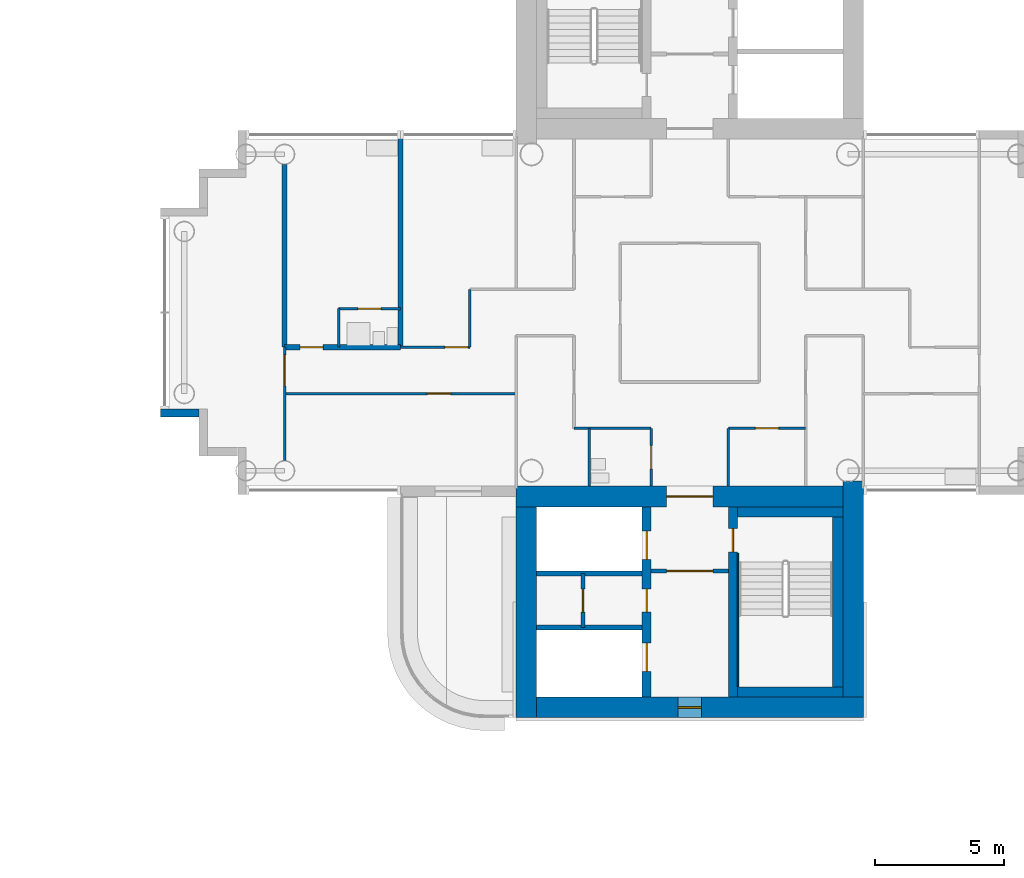
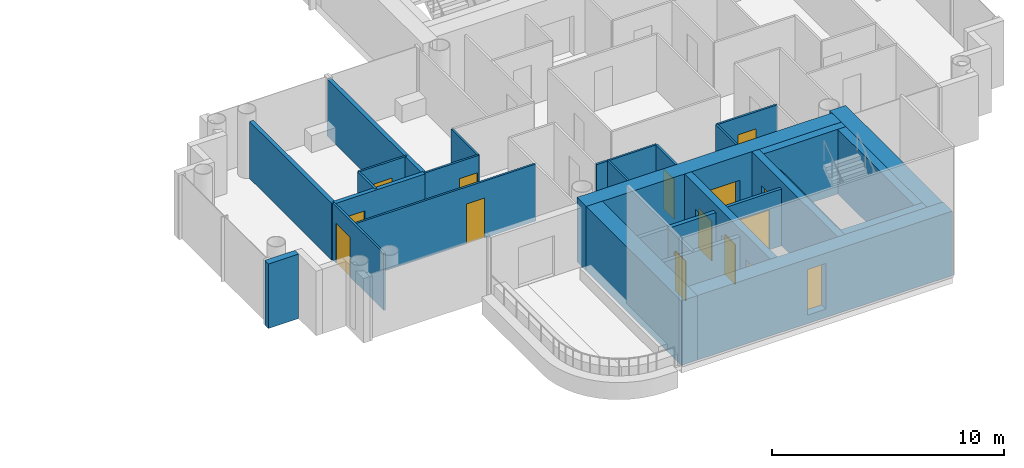
# One storey, part 10 of 19: 29 walls, 14 doors, 1 window, 15 openings.
"""IFC4 building model written with IfcOpenShell, lengths in metres."""

import ifcopenshell
import ifcopenshell.guid

model = None  # the IFC model being written
_history = None  # IfcOwnerHistory: only IFC2X3 demands one
_inside = {}  # id of a spatial element -> (the spatial element, [elements in it])
_under = {}  # id of a project, library or spatial element -> (it, [spatial elements below it])
_declared = {}  # id of a project -> (the project, [libraries it declares])
_typed = {}  # id of a type object -> (the type object, [elements of that type])
_made_of = {}  # id of a material, layer set ... -> (it, [elements and type objects made of it])


def new_model(schema):
    """Start an empty IFC model of exactly this schema.

    Asked for "IFC4X3", IfcOpenShell would pick the latest addendum, in which some entities
    have other attributes; the version numbers below select the first issue.
    IFC2X3 requires an IfcOwnerHistory on every rooted entity: one is made here for all.
    """
    global model, _history
    if schema == "IFC4X3":
        model = ifcopenshell.file(schema_version=(4, 3, 0, 0))
    else:
        model = ifcopenshell.file(schema=schema)
    _inside.clear()
    _under.clear()
    _declared.clear()
    _typed.clear()
    _made_of.clear()
    _history = None
    if model.schema == "IFC2X3":
        org = make("IfcOrganization", Name="unknown")
        user = make(
            "IfcPersonAndOrganization",
            ThePerson=make("IfcPerson", FamilyName="unknown"),
            TheOrganization=org,
        )
        app = make(
            "IfcApplication",
            ApplicationDeveloper=org,
            Version="unknown",
            ApplicationFullName="unknown",
            ApplicationIdentifier="unknown",
        )
        _history = make(
            "IfcOwnerHistory",
            OwningUser=user,
            OwningApplication=app,
            ChangeAction="ADDED",
            CreationDate=0,
        )
    return model


def make(cls, **values):
    """One entity of the class cls with the attributes given. An attribute that is None is left unset."""
    return model.create_entity(
        cls, **{name: value for name, value in values.items() if value is not None}
    )


def rooted(cls, **values):
    """An entity with a GlobalId (a new one), such as an element, a storey or a relation."""
    return make(cls, GlobalId=ifcopenshell.guid.new(), OwnerHistory=_history, **values)


def si_unit(unit_type, name, prefix=None):
    """IfcSIUnit, for example si_unit("LENGTHUNIT", "METRE", prefix="MILLI")."""
    return make("IfcSIUnit", UnitType=unit_type, Prefix=prefix, Name=name)


def assignment(units):
    """IfcUnitAssignment: the units of a project."""
    return None if units is None else make("IfcUnitAssignment", Units=units)


def point(xyz):
    """IfcCartesianPoint."""
    return None if xyz is None else make("IfcCartesianPoint", Coordinates=xyz)


def direction(xyz):
    """IfcDirection."""
    return None if xyz is None else make("IfcDirection", DirectionRatios=xyz)


def frame(location, z_axis=None, x_axis=None):
    """IfcAxis2Placement3D, a coordinate frame: its origin and axes. An axis left out is left unset."""
    return make(
        "IfcAxis2Placement3D",
        Location=point(location),
        Axis=direction(z_axis),
        RefDirection=direction(x_axis),
    )


def frame_2d(location, x_axis=None):
    """IfcAxis2Placement2D, a coordinate frame in the plane: its origin and x axis."""
    return make(
        "IfcAxis2Placement2D", Location=point(location), RefDirection=direction(x_axis)
    )


def origin():
    """The frame at (0, 0, 0) with its axes left unset."""
    return frame((0.0, 0.0, 0.0))


def place(relative_to, where):
    """IfcLocalPlacement: puts the frame where relative to a parent placement (None: the world)."""
    return make(
        "IfcLocalPlacement", PlacementRelTo=relative_to, RelativePlacement=where
    )


def context(
    kind, dimensions, precision=None, world=None, true_north=None, identifier=None
):
    """IfcGeometricRepresentationContext, for example the 3D "Model" context."""
    return make(
        "IfcGeometricRepresentationContext",
        ContextIdentifier=identifier,
        ContextType=kind,
        CoordinateSpaceDimension=dimensions,
        Precision=precision,
        WorldCoordinateSystem=world,
        TrueNorth=true_north,
    )


def subcontext(parent, identifier, kind, view, scale=None):
    """IfcGeometricRepresentationSubContext, for example "Body" below "Model"."""
    return make(
        "IfcGeometricRepresentationSubContext",
        ContextIdentifier=identifier,
        ContextType=kind,
        ParentContext=parent,
        TargetScale=scale,
        TargetView=view,
    )


def project(units=None, contexts=None):
    """IfcProject with its units and contexts."""
    return rooted(
        "IfcProject",
        Name="project",
        RepresentationContexts=contexts,
        UnitsInContext=assignment(units),
    )


def spatial(cls, under=None, at=None, **own):
    """A site, building, storey or space (cls), placed at a placement, below another one or the project."""
    s = rooted(cls, ObjectPlacement=at, **own)
    if under is not None:
        _under.setdefault(under.id(), (under, []))[1].append(s)
    return s


def profile(cls, at=None, kind="AREA", **sizes):
    """A parametric profile (cls). Its sizes go by their IFC names, for example OverallWidth=200.0."""
    return make(cls, ProfileType=kind, Position=at, **sizes)


def rectangle(**sizes):
    """IfcRectangleProfileDef."""
    return profile("IfcRectangleProfileDef", **sizes)


def extrude(swept, where, along, depth):
    """IfcExtrudedAreaSolid: the profile swept, set in the frame where, extruded along a direction by depth."""
    return make(
        "IfcExtrudedAreaSolid",
        SweptArea=swept,
        Position=where,
        ExtrudedDirection=direction(along),
        Depth=depth,
    )


def shape(context_of_items, identifier, shape_type, items):
    """IfcShapeRepresentation: the items that make up one representation, for example the "Body"."""
    return make(
        "IfcShapeRepresentation",
        ContextOfItems=context_of_items,
        RepresentationIdentifier=identifier,
        RepresentationType=shape_type,
        Items=items,
    )


def material(Name=None, Category=None):
    """IfcMaterial."""
    return make("IfcMaterial", Name=Name, Category=Category)


def layer(
    of_material, thickness, ventilated=None, Name=None, Category=None, Priority=None
):
    """IfcMaterialLayer: one layer of a wall or slab, of a material (None: an air gap)."""
    return make(
        "IfcMaterialLayer",
        Material=of_material,
        LayerThickness=thickness,
        IsVentilated=ventilated,
        Name=Name,
        Category=Category,
        Priority=Priority,
    )


def layer_set(layers, Name=None):
    """IfcMaterialLayerSet."""
    return make("IfcMaterialLayerSet", MaterialLayers=layers, LayerSetName=Name)


def made_of(thing, what):
    """Note that an element or type object is made of a material, layer set ...; save() writes the relation."""
    if what is not None:
        _made_of.setdefault(what.id(), (what, []))[1].append(thing)
    return thing


def type_object(cls, material=None, **own):
    """A type object (cls), such as IfcWallType, which elements share."""
    return made_of(rooted(cls, **own), material)


def element(
    cls,
    number,
    at=None,
    inside=None,
    cuts=None,
    type_object=None,
    material=None,
    context=None,
    identifier="Body",
    shape_type=None,
    held_by="IfcProductDefinitionShape",
    body=None,
    shapes=None,
    **own,
):
    """One element of the class cls, such as IfcWall. Its Tag is "e" and its number.

    at: its placement. inside: the storey or other place that contains it. cuts: it is an
    opening in that element (IfcRelVoidsElement). A single representation is given by context,
    identifier, shape_type and body (its items); several are given by shapes. held_by: the class
    of the entity that holds the representations. save() writes the other relations.
    """
    e = rooted(cls, Tag="e%d" % number, ObjectPlacement=at, **own)
    if body is not None:
        shapes = [shape(context, identifier, shape_type, body)]
    if shapes is not None:
        e.Representation = make(held_by, Representations=shapes)
    if inside is not None:
        _inside.setdefault(inside.id(), (inside, []))[1].append(e)
    if cuts is not None:
        rooted(
            "IfcRelVoidsElement", RelatingBuildingElement=cuts, RelatedOpeningElement=e
        )
    if type_object is not None:
        _typed.setdefault(type_object.id(), (type_object, []))[1].append(e)
    return made_of(e, material)


def fill(opening, filler):
    """IfcRelFillsElement: the door or window that sits in an opening."""
    return rooted(
        "IfcRelFillsElement",
        RelatingOpeningElement=opening,
        RelatedBuildingElement=filler,
    )


def aggregate(whole, parts):
    """IfcRelAggregates: a whole, such as a stair, and the parts it consists of."""
    return rooted("IfcRelAggregates", RelatingObject=whole, RelatedObjects=parts)


def save(model, path):
    """Write the relations noted so far, then the file.

    IfcRelAggregates (storeys below a building ...), IfcRelContainedInSpatialStructure (elements
    in a storey), IfcRelDefinesByType, IfcRelAssociatesMaterial and IfcRelDeclares: one each for
    every whole, place, type object, material and project.
    """
    for whole, parts in _under.values():
        aggregate(whole, parts)
    for where, things in _inside.values():
        rooted(
            "IfcRelContainedInSpatialStructure",
            RelatedElements=things,
            RelatingStructure=where,
        )
    for kind, things in _typed.values():
        rooted("IfcRelDefinesByType", RelatedObjects=things, RelatingType=kind)
    for what, things in _made_of.values():
        rooted("IfcRelAssociatesMaterial", RelatedObjects=things, RelatingMaterial=what)
    for by, libraries in _declared.values():
        rooted("IfcRelDeclares", RelatingContext=by, RelatedDefinitions=libraries)
    model.write(path)


model = new_model("IFC4")

# Units and contexts
model_context = context("Model", 3, precision=1e-05, world=origin(), true_north=direction((0.0, 1.0)))
body_context = subcontext(model_context, "Body", "Model", "MODEL_VIEW")
ifc_project = project(units=[si_unit("LENGTHUNIT", "METRE"), si_unit("AREAUNIT", "SQUARE_METRE"), si_unit("VOLUMEUNIT", "CUBIC_METRE"), si_unit("PLANEANGLEUNIT", "RADIAN"), si_unit("MASSUNIT", "GRAM", prefix="KILO")], contexts=[model_context])

# Site, building, storey
site_placement = place(None, origin())
site = spatial("IfcSite", under=ifc_project, at=site_placement, CompositionType="ELEMENT")
building_placement = place(site_placement, origin())
building = spatial("IfcBuilding", under=site, at=building_placement, Name="Ipe Terrace Towers", CompositionType="ELEMENT")
storey_placement = place(building_placement, frame((0.0, 0.0, 174.5)))
storey = spatial("IfcBuildingStorey", under=building, at=storey_placement, Name="L48", CompositionType="ELEMENT", Elevation=174.5)

# Wall
ifc_material_1 = material(Name="Concrete C40/50 with buff precast cladding", Category="concrete")
ifc_layer_1 = layer(ifc_material_1, 0.320068359375)
ifc_layer_set_1 = layer_set([ifc_layer_1], Name="BUFF CLADDING WALL 320")
wall_type_1 = type_object("IfcWallType", Name="BUFF CLADDING WALL 320", PredefinedType="STANDARD", material=ifc_layer_set_1)
wall_1_placement = place(storey_placement, frame((15.429931640625, -3.909912109375, -0.300048828125), z_axis=(0.0, 0.0, 1.0), x_axis=(1.0, 0.0, 0.0)))
element("IfcWall", 1, at=wall_1_placement, inside=storey, type_object=wall_type_1, Name="T2-W-L48-35a wall", PredefinedType="STANDARD", context=body_context, shape_type="SweptSolid", body=[
    extrude(rectangle(XDim=1.5, YDim=0.320068359375, at=frame_2d((0.75, 0.0))), origin(), (0.0, 0.0, 1.0), 3.400146484375),
])

# Wall, opening, door
ifc_material_2 = material(Name="Gypsum board partition", Category="plasterboard")
ifc_layer_2 = layer(ifc_material_2, 0.10009765625)
ifc_layer_set_2 = layer_set([ifc_layer_2], Name="Gypsum board partition 100 mm")
wall_type_2 = type_object("IfcWallType", Name="Gypsum board partition 100 mm", PredefinedType="PARTITIONING", material=ifc_layer_set_2)
wall_2_placement = place(storey_placement, frame((40.5, -4.5, 0.0), z_axis=(0.0, 0.0, 1.0), x_axis=(-1.0, 0.0, 0.0)))
wall_2 = element("IfcWall", 2, at=wall_2_placement, inside=storey, type_object=wall_type_2, Name="Gypsum board partition T2 L48 W01", PredefinedType="PARTITIONING", context=body_context, shape_type="SweptSolid", body=[
    extrude(rectangle(XDim=3.0, YDim=0.10009765625, at=frame_2d((1.5, 0.0))), origin(), (0.0, 0.0, 1.0), 3.0),
])
opening_1_placement = place(wall_2_placement, frame((1.050048828125, 0.0, 0.0)))
opening_1 = element("IfcOpeningElement", 3, at=opening_1_placement, cuts=wall_2, Name="Opening T2-Z3D-08", PredefinedType="OPENING", context=body_context, shape_type="SweptSolid", body=[
    extrude(rectangle(XDim=0.89990234375, YDim=2.10009765625, at=frame_2d((0.449951171875, 1.050048828125))), frame((0.0, 0.06005859375, 0.0), z_axis=(0.0, -1.0, 0.0), x_axis=(1.0, 0.0, 0.0)), (0.0, 0.0, 1.0), 0.1201171875),
])
ifc_material_3 = material(Name="Timber door leaf", Category="wood")
door_type_1 = type_object("IfcDoorType", Name="Lounge door 900 x 2100", OperationType="NOTDEFINED", PredefinedType="DOOR", material=ifc_material_3)
door_1_placement = place(opening_1_placement, origin())
door_1 = element("IfcDoor", 4, at=door_1_placement, inside=storey, type_object=door_type_1, Name="Lounge door T2-Z3D-08", OperationType="SINGLE_SWING_LEFT", OverallHeight=2.10009765625, OverallWidth=0.89990234375, PredefinedType="DOOR", context=body_context, shape_type="SweptSolid", body=[
    extrude(rectangle(XDim=0.89990234375, YDim=2.10009765625, at=frame_2d((0.449951171875, 1.050048828125))), frame((0.0, 0.02490234375, 0.0), z_axis=(0.0, -1.0, 0.0), x_axis=(1.0, 0.0, 0.0)), (0.0, 0.0, 1.0), 0.050048828125),
])
fill(opening_1, door_1)

# Wall
wall_3_placement = place(storey_placement, frame((34.5, -4.5, 0.0), z_axis=(0.0, 0.0, 1.0), x_axis=(-1.0, 0.0, 0.0)))
element("IfcWall", 5, at=wall_3_placement, inside=storey, type_object=wall_type_2, Name="Gypsum board partition T2 L48 W02", PredefinedType="PARTITIONING", context=body_context, shape_type="SweptSolid", body=[
    extrude(rectangle(XDim=3.0, YDim=0.10009765625, at=frame_2d((1.5, 0.0))), origin(), (0.0, 0.0, 1.0), 3.0),
])

# Wall, opening, door
wall_4_placement = place(storey_placement, frame((29.25, -3.14990234375, 0.0), z_axis=(0.0, 0.0, 1.0), x_axis=(-1.0, 0.0, 0.0)))
wall_4 = element("IfcWall", 6, at=wall_4_placement, inside=storey, type_object=wall_type_2, Name="Gypsum board partition T2 L48 W04", PredefinedType="PARTITIONING", context=body_context, shape_type="SweptSolid", body=[
    extrude(rectangle(XDim=9.0, YDim=0.10009765625, at=frame_2d((4.5, 0.0))), origin(), (0.0, 0.0, 1.0), 3.0),
])
opening_2_placement = place(wall_4_placement, frame((2.550048828125, 0.0, 0.0)))
opening_2 = element("IfcOpeningElement", 7, at=opening_2_placement, cuts=wall_4, Name="Opening T2-Z3D-11", PredefinedType="OPENING", context=body_context, shape_type="SweptSolid", body=[
    extrude(rectangle(XDim=0.89990234375, YDim=2.10009765625, at=frame_2d((0.449951171875, 1.050048828125))), frame((0.0, 0.06005859375, 0.0), z_axis=(0.0, -1.0, 0.0), x_axis=(1.0, 0.0, 0.0)), (0.0, 0.0, 1.0), 0.1201171875),
])
door_2_placement = place(opening_2_placement, origin())
door_2 = element("IfcDoor", 8, at=door_2_placement, inside=storey, type_object=door_type_1, Name="Lounge door T2-Z3D-11", OperationType="SINGLE_SWING_RIGHT", OverallHeight=2.10009765625, OverallWidth=0.89990234375, PredefinedType="DOOR", context=body_context, shape_type="SweptSolid", body=[
    extrude(rectangle(XDim=0.89990234375, YDim=2.10009765625, at=frame_2d((0.449951171875, 1.050048828125))), frame((0.0, 0.02490234375, 0.0), z_axis=(0.0, -1.0, 0.0), x_axis=(1.0, 0.0, 0.0)), (0.0, 0.0, 1.0), 0.050048828125),
])
fill(opening_2, door_2)

wall_5_placement = place(storey_placement, frame((27.449951171875, -1.35009765625, 0.0), z_axis=(0.0, 0.0, 1.0), x_axis=(-1.0, 0.0, 0.0)))
wall_5 = element("IfcWall", 9, at=wall_5_placement, inside=storey, type_object=wall_type_2, Name="Gypsum board partition T2 L48 W07", PredefinedType="PARTITIONING", context=body_context, shape_type="SweptSolid", body=[
    extrude(rectangle(XDim=2.699951171875, YDim=0.10009765625, at=frame_2d((1.35009765625, 0.0))), origin(), (0.0, 0.0, 1.0), 3.0),
])
opening_3_placement = place(wall_5_placement, frame((0.070068359375, 0.0, 0.0)))
opening_3 = element("IfcOpeningElement", 10, at=opening_3_placement, cuts=wall_5, Name="Opening T2-Z3D-12", PredefinedType="OPENING", context=body_context, shape_type="SweptSolid", body=[
    extrude(rectangle(XDim=0.89990234375, YDim=2.10009765625, at=frame_2d((0.449951171875, 1.050048828125))), frame((0.0, 0.06005859375, 0.0), z_axis=(0.0, -1.0, 0.0), x_axis=(1.0, 0.0, 0.0)), (0.0, 0.0, 1.0), 0.1201171875),
])
door_3_placement = place(opening_3_placement, origin())
door_3 = element("IfcDoor", 11, at=door_3_placement, inside=storey, type_object=door_type_1, Name="Lounge door T2-Z3D-12", OperationType="SINGLE_SWING_LEFT", OverallHeight=2.10009765625, OverallWidth=0.89990234375, PredefinedType="DOOR", context=body_context, shape_type="SweptSolid", body=[
    extrude(rectangle(XDim=0.89990234375, YDim=2.10009765625, at=frame_2d((0.449951171875, 1.050048828125))), frame((0.0, 0.02490234375, 0.0), z_axis=(0.0, -1.0, 0.0), x_axis=(1.0, 0.0, 0.0)), (0.0, 0.0, 1.0), 0.050048828125),
])
fill(opening_3, door_3)

wall_6_placement = place(storey_placement, frame((24.75, 0.14990234375, 0.0), z_axis=(0.0, 0.0, 1.0), x_axis=(-1.0, 0.0, 0.0)))
wall_6 = element("IfcWall", 12, at=wall_6_placement, inside=storey, type_object=wall_type_2, Name="Gypsum board partition T2 L48 W11", PredefinedType="PARTITIONING", context=body_context, shape_type="SweptSolid", body=[
    extrude(rectangle(XDim=2.39990234375, YDim=0.10009765625, at=frame_2d((1.199951171875, 0.0))), origin(), (0.0, 0.0, 1.0), 3.0),
])
opening_4_placement = place(wall_6_placement, frame((0.75, 0.0, 0.0)))
opening_4 = element("IfcOpeningElement", 13, at=opening_4_placement, cuts=wall_6, Name="Opening T2-Z3D-14", PredefinedType="OPENING", context=body_context, shape_type="SweptSolid", body=[
    extrude(rectangle(XDim=0.89990234375, YDim=2.10009765625, at=frame_2d((0.449951171875, 1.050048828125))), frame((0.0, 0.06005859375, 0.0), z_axis=(0.0, -1.0, 0.0), x_axis=(1.0, 0.0, 0.0)), (0.0, 0.0, 1.0), 0.1201171875),
])
ifc_material_4 = material(Name="Timber door leaf", Category="wood")
door_type_2 = type_object("IfcDoorType", Name="Bathroom door 900 x 2100", OperationType="NOTDEFINED", PredefinedType="DOOR", material=ifc_material_4)
door_4_placement = place(opening_4_placement, origin())
door_4 = element("IfcDoor", 14, at=door_4_placement, inside=storey, type_object=door_type_2, Name="Bathroom door T2-Z3D-14", OperationType="SINGLE_SWING_RIGHT", OverallHeight=2.10009765625, OverallWidth=0.89990234375, PredefinedType="DOOR", context=body_context, shape_type="SweptSolid", body=[
    extrude(rectangle(XDim=0.89990234375, YDim=2.10009765625, at=frame_2d((0.449951171875, 1.050048828125))), frame((0.0, 0.02490234375, 0.0), z_axis=(0.0, -1.0, 0.0), x_axis=(1.0, 0.0, 0.0)), (0.0, 0.0, 1.0), 0.050048828125),
])
fill(opening_4, door_4)

# Wall
wall_7_placement = place(storey_placement, frame((37.5, -6.75, 0.0), z_axis=(0.0, 0.0, 1.0), x_axis=(0.0, 1.0, 0.0)))
element("IfcWall", 15, at=wall_7_placement, inside=storey, type_object=wall_type_2, Name="Gypsum board partition T2 L48 W30", PredefinedType="PARTITIONING", context=body_context, shape_type="SweptSolid", body=[
    extrude(rectangle(XDim=2.25, YDim=0.10009765625, at=frame_2d((1.125, 0.0))), origin(), (0.0, 0.0, 1.0), 3.0),
])

# Wall, opening, door
wall_8_placement = place(storey_placement, frame((34.5, -6.75, 0.0), z_axis=(0.0, 0.0, 1.0), x_axis=(0.0, 1.0, 0.0)))
wall_8 = element("IfcWall", 16, at=wall_8_placement, inside=storey, type_object=wall_type_2, Name="Gypsum board partition T2 L48 W33", PredefinedType="PARTITIONING", context=body_context, shape_type="SweptSolid", body=[
    extrude(rectangle(XDim=2.25, YDim=0.10009765625, at=frame_2d((1.125, 0.0))), origin(), (0.0, 0.0, 1.0), 3.0),
])
opening_5_placement = place(wall_8_placement, frame((0.675048828125, 0.0, 0.0)))
opening_5 = element("IfcOpeningElement", 17, at=opening_5_placement, cuts=wall_8, Name="Opening T2-Z3D-03", PredefinedType="OPENING", context=body_context, shape_type="SweptSolid", body=[
    extrude(rectangle(XDim=0.89990234375, YDim=2.10009765625, at=frame_2d((0.449951171875, 1.050048828125))), frame((0.0, 0.06005859375, 0.0), z_axis=(0.0, -1.0, 0.0), x_axis=(1.0, 0.0, 0.0)), (0.0, 0.0, 1.0), 0.1201171875),
])
door_5_placement = place(opening_5_placement, origin())
door_5 = element("IfcDoor", 18, at=door_5_placement, inside=storey, type_object=door_type_2, Name="Bathroom door T2-Z3D-03", OperationType="SINGLE_SWING_LEFT", OverallHeight=2.10009765625, OverallWidth=0.89990234375, PredefinedType="DOOR", context=body_context, shape_type="SweptSolid", body=[
    extrude(rectangle(XDim=0.89990234375, YDim=2.10009765625, at=frame_2d((0.449951171875, 1.050048828125))), frame((0.0, 0.02490234375, 0.0), z_axis=(0.0, -1.0, 0.0), x_axis=(1.0, 0.0, 0.0)), (0.0, 0.0, 1.0), 0.050048828125),
])
fill(opening_5, door_5)

# Walls
for number, where, z_axis, x_axis, name in (
    (19, (32.10009765625, -6.75, 0.0), (0.0, 0.0, 1.0), (0.0, 1.0, 0.0), "Gypsum board partition T2 L48 W38"),
    (20, (27.449951171875, -1.35009765625, 0.0), (0.0, 0.0, 1.0), (0.0, 1.0, 0.0), "Gypsum board partition T2 L48 W43"),
):
    element("IfcWall", number, at=place(storey_placement, frame(where, z_axis=z_axis, x_axis=x_axis)), inside=storey, type_object=wall_type_2, Name=name, PredefinedType="PARTITIONING", context=body_context, shape_type="SweptSolid", body=[
        extrude(rectangle(XDim=2.25, YDim=0.10009765625, at=frame_2d((1.125, 0.0))), origin(), (0.0, 0.0, 1.0), 3.0),
    ])
wall_9_placement = place(storey_placement, frame((22.35009765625, -1.35009765625, 0.0), z_axis=(0.0, 0.0, 1.0), x_axis=(0.0, 1.0, 0.0)))
element("IfcWall", 21, at=wall_9_placement, inside=storey, type_object=wall_type_2, Name="Gypsum board partition T2 L48 W45", PredefinedType="PARTITIONING", context=body_context, shape_type="SweptSolid", body=[
    extrude(rectangle(XDim=1.5, YDim=0.10009765625, at=frame_2d((0.75, 0.0))), origin(), (0.0, 0.0, 1.0), 3.0),
])

# Wall, opening, door
wall_10_placement = place(storey_placement, frame((20.25, -5.75, 0.0), z_axis=(0.0, 0.0, 1.0), x_axis=(0.0, 1.0, 0.0)))
wall_10 = element("IfcWall", 22, at=wall_10_placement, inside=storey, type_object=wall_type_2, Name="Gypsum board partition T2 L48 W46", PredefinedType="PARTITIONING", context=body_context, shape_type="SweptSolid", body=[
    extrude(rectangle(XDim=4.39990234375, YDim=0.10009765625, at=frame_2d((2.199951171875, 0.0))), origin(), (0.0, 0.0, 1.0), 3.0),
])
opening_6_placement = place(wall_10_placement, frame((2.89990234375, 0.0, 0.0)))
opening_6 = element("IfcOpeningElement", 23, at=opening_6_placement, cuts=wall_10, Name="Opening T2-Z3D-15", PredefinedType="OPENING", context=body_context, shape_type="SweptSolid", body=[
    extrude(rectangle(XDim=1.199951171875, YDim=2.10009765625, at=frame_2d((0.60009765625, 1.050048828125))), frame((0.0, 0.06005859375, 0.0), z_axis=(0.0, -1.0, 0.0), x_axis=(1.0, 0.0, 0.0)), (0.0, 0.0, 1.0), 0.1201171875),
])
ifc_material_5 = material(Name="Timber door leaf", Category="wood")
door_type_3 = type_object("IfcDoorType", Name="Lounge door 1200 x 2100", OperationType="NOTDEFINED", PredefinedType="DOOR", material=ifc_material_5)
door_6_placement = place(opening_6_placement, origin())
door_6 = element("IfcDoor", 24, at=door_6_placement, inside=storey, type_object=door_type_3, Name="Lounge door T2-Z3D-15", OperationType="SINGLE_SWING_LEFT", OverallHeight=2.10009765625, OverallWidth=1.199951171875, PredefinedType="DOOR", context=body_context, shape_type="SweptSolid", body=[
    extrude(rectangle(XDim=1.199951171875, YDim=2.10009765625, at=frame_2d((0.60009765625, 1.050048828125))), frame((0.0, 0.02490234375, 0.0), z_axis=(0.0, -1.0, 0.0), x_axis=(1.0, 0.0, 0.0)), (0.0, 0.0, 1.0), 0.050048828125),
])
fill(opening_6, door_6)

ifc_material_6 = material(Name="Gypsum board partition", Category="plasterboard")
ifc_layer_3 = layer(ifc_material_6, 0.14990234375)
ifc_layer_set_3 = layer_set([ifc_layer_3], Name="Gypsum board partition 150 mm")
wall_type_3 = type_object("IfcWallType", Name="Gypsum board partition 150 mm", PredefinedType="PARTITIONING", material=ifc_layer_set_3)
wall_11_placement = place(storey_placement, frame((34.5, -10.050048828125, 0.0), z_axis=(0.0, 0.0, 1.0), x_axis=(1.0, 0.0, 0.0)))
wall_11 = element("IfcWall", 25, at=wall_11_placement, inside=storey, type_object=wall_type_3, Name="Gypsum board partition T2 L48 t2c2-lobby-wall", PredefinedType="PARTITIONING", context=body_context, shape_type="SweptSolid", body=[
    extrude(rectangle(XDim=3.0, YDim=0.14990234375, at=frame_2d((1.5, 0.0))), origin(), (0.0, 0.0, 1.0), 3.0),
])
opening_7_placement = place(wall_11_placement, frame((0.60009765625, 0.0, 0.0)))
opening_7 = element("IfcOpeningElement", 26, at=opening_7_placement, cuts=wall_11, Name="Opening T2C2-VD", PredefinedType="OPENING", context=body_context, shape_type="SweptSolid", body=[
    extrude(rectangle(XDim=1.800048828125, YDim=2.10009765625, at=frame_2d((0.89990234375, 1.050048828125))), frame((0.0, 0.0849609375, 0.0), z_axis=(0.0, -1.0, 0.0), x_axis=(1.0, 0.0, 0.0)), (0.0, 0.0, 1.0), 0.169921875),
])
ifc_material_7 = material(Name="Fire-rated timber door leaf", Category="wood")
door_type_4 = type_object("IfcDoorType", Name="Lobby door 1800 x 2100 FD60", OperationType="NOTDEFINED", PredefinedType="DOOR", material=ifc_material_7)
door_7_placement = place(opening_7_placement, origin())
door_7 = element("IfcDoor", 27, at=door_7_placement, inside=storey, type_object=door_type_4, Name="Lobby door T2C2-VD", OperationType="SINGLE_SWING_LEFT", OverallHeight=2.10009765625, OverallWidth=1.800048828125, PredefinedType="DOOR", context=body_context, shape_type="SweptSolid", body=[
    extrude(rectangle(XDim=1.800048828125, YDim=2.10009765625, at=frame_2d((0.89990234375, 1.050048828125))), frame((0.0, 0.02490234375, 0.0), z_axis=(0.0, -1.0, 0.0), x_axis=(1.0, 0.0, 0.0)), (0.0, 0.0, 1.0), 0.050048828125),
])
fill(opening_7, door_7)

wall_12_placement = place(storey_placement, frame((31.85009765625, -10.14990234375, 0.0), z_axis=(0.0, 0.0, 1.0), x_axis=(0.0, -1.0, 0.0)))
wall_12 = element("IfcWall", 28, at=wall_12_placement, inside=storey, type_object=wall_type_3, Name="Gypsum board partition T2 L48 t2c2-q-back", PredefinedType="PARTITIONING", context=body_context, shape_type="SweptSolid", body=[
    extrude(rectangle(XDim=2.10009765625, YDim=0.14990234375, at=frame_2d((1.050048828125, 0.0))), origin(), (0.0, 0.0, 1.0), 3.0),
])
opening_8_placement = place(wall_12_placement, frame((0.60009765625, 0.0, 0.0)))
opening_8 = element("IfcOpeningElement", 29, at=opening_8_placement, cuts=wall_12, Name="Opening T2C2-RB", PredefinedType="OPENING", context=body_context, shape_type="SweptSolid", body=[
    extrude(rectangle(XDim=0.89990234375, YDim=2.10009765625, at=frame_2d((0.449951171875, 1.050048828125))), frame((0.0, 0.0849609375, 0.0), z_axis=(0.0, -1.0, 0.0), x_axis=(1.0, 0.0, 0.0)), (0.0, 0.0, 1.0), 0.169921875),
])
ifc_material_8 = material(Name="Fire-rated timber door leaf", Category="wood")
door_type_5 = type_object("IfcDoorType", Name="Service door 900 x 2100 FD60", OperationType="NOTDEFINED", PredefinedType="DOOR", material=ifc_material_8)
door_8_placement = place(opening_8_placement, origin())
door_8 = element("IfcDoor", 30, at=door_8_placement, inside=storey, type_object=door_type_5, Name="Service door T2C2-RB", OperationType="SINGLE_SWING_LEFT", OverallHeight=2.10009765625, OverallWidth=0.89990234375, PredefinedType="DOOR", context=body_context, shape_type="SweptSolid", body=[
    extrude(rectangle(XDim=0.89990234375, YDim=2.10009765625, at=frame_2d((0.449951171875, 1.050048828125))), frame((0.0, 0.02490234375, 0.0), z_axis=(0.0, -1.0, 0.0), x_axis=(1.0, 0.0, 0.0)), (0.0, 0.0, 1.0), 0.050048828125),
])
fill(opening_8, door_8)

# Walls
ifc_material_9 = material(Name="Gypsum board party wall", Category="plasterboard")
ifc_layer_4 = layer(ifc_material_9, 0.199951171875)
ifc_layer_set_4 = layer_set([ifc_layer_4], Name="Gypsum board party wall 200 mm")
wall_type_4 = type_object("IfcWallType", Name="Gypsum board party wall 200 mm", PredefinedType="SOLIDWALL", material=ifc_layer_set_4)
for number, where, z_axis, x_axis, name in (
    (31, (30.050048828125, -12.25, 0.0), (0.0, 0.0, 1.0), (1.0, 0.0, 0.0), "Gypsum board party wall T2 L48 t2c2-shaft-div2"),
    (32, (30.050048828125, -10.14990234375, 0.0), (0.0, 0.0, 1.0), (1.0, 0.0, 0.0), "Gypsum board party wall T2 L48 t2c2-shaft-div1"),
):
    element("IfcWall", number, at=place(storey_placement, frame(where, z_axis=z_axis, x_axis=x_axis)), inside=storey, type_object=wall_type_4, Name=name, PredefinedType="SOLIDWALL", context=body_context, shape_type="SweptSolid", body=[
        extrude(rectangle(XDim=4.099853515625, YDim=0.199951171875, at=frame_2d((2.0498046875, 0.0))), origin(), (0.0, 0.0, 1.0), 3.0),
    ])

# Wall, opening, door
wall_13_placement = place(storey_placement, frame((24.75, -1.35009765625, 0.0), z_axis=(0.0, 0.0, 1.0), x_axis=(-1.0, 0.0, 0.0)))
wall_13 = element("IfcWall", 33, at=wall_13_placement, inside=storey, type_object=wall_type_4, Name="Gypsum board party wall T2 L48 W08", PredefinedType="SOLIDWALL", context=body_context, shape_type="SweptSolid", body=[
    extrude(rectangle(XDim=4.5, YDim=0.199951171875, at=frame_2d((2.25, 0.0))), origin(), (0.0, 0.0, 1.0), 3.0),
])
opening_9_placement = place(wall_13_placement, frame((3.0, 0.0, 0.0)))
opening_9 = element("IfcOpeningElement", 34, at=opening_9_placement, cuts=wall_13, Name="Opening T2-Z3D-13", PredefinedType="OPENING", context=body_context, shape_type="SweptSolid", body=[
    extrude(rectangle(XDim=0.89990234375, YDim=2.10009765625, at=frame_2d((0.449951171875, 1.050048828125))), frame((0.0, 0.10986328125, 0.0), z_axis=(0.0, -1.0, 0.0), x_axis=(1.0, 0.0, 0.0)), (0.0, 0.0, 1.0), 0.219970703125),
])
ifc_material_10 = material(Name="Fire-rated timber door leaf", Category="wood")
door_type_6 = type_object("IfcDoorType", Name="Flat entrance door 900 x 2100 FD30S", OperationType="NOTDEFINED", PredefinedType="DOOR", material=ifc_material_10)
door_9_placement = place(opening_9_placement, origin())
door_9 = element("IfcDoor", 35, at=door_9_placement, inside=storey, type_object=door_type_6, Name="Flat entrance door T2-Z3D-13", OperationType="SINGLE_SWING_RIGHT", OverallHeight=2.10009765625, OverallWidth=0.89990234375, PredefinedType="DOOR", context=body_context, shape_type="SweptSolid", body=[
    extrude(rectangle(XDim=0.89990234375, YDim=2.10009765625, at=frame_2d((0.449951171875, 1.050048828125))), frame((0.0, 0.02490234375, 0.0), z_axis=(0.0, -1.0, 0.0), x_axis=(1.0, 0.0, 0.0)), (0.0, 0.0, 1.0), 0.050048828125),
])
fill(opening_9, door_9)

# Walls
wall_14_placement = place(storey_placement, frame((24.75, -1.35009765625, 0.0), z_axis=(0.0, 0.0, 1.0), x_axis=(0.0, 1.0, 0.0)))
element("IfcWall", 36, at=wall_14_placement, inside=storey, type_object=wall_type_4, Name="Gypsum board party wall T2 L48 W44", PredefinedType="SOLIDWALL", context=body_context, shape_type="SweptSolid", body=[
    extrude(rectangle(XDim=8.2001953125, YDim=0.199951171875, at=frame_2d((4.10009765625, 0.0))), origin(), (0.0, 0.0, 1.0), 3.0),
])
wall_15_placement = place(storey_placement, frame((20.25, -1.35009765625, 0.0), z_axis=(0.0, 0.0, 1.0), x_axis=(0.0, 1.0, 0.0)))
element("IfcWall", 37, at=wall_15_placement, inside=storey, type_object=wall_type_4, Name="Gypsum board party wall T2 L48 W47", PredefinedType="SOLIDWALL", context=body_context, shape_type="SweptSolid", body=[
    extrude(rectangle(XDim=7.10009765625, YDim=0.199951171875, at=frame_2d((3.550048828125, 0.0))), origin(), (0.0, 0.0, 1.0), 3.0),
])

# Wall, openings, doors
ifc_material_11 = material(Name="Concrete C50/60", Category="concrete")
ifc_layer_5 = layer(ifc_material_11, 0.35009765625)
ifc_layer_set_5 = layer_set([ifc_layer_5], Name="RW350 CORE SPINE WALL 350 C50-60")
wall_type_5 = type_object("IfcWallType", Name="RW350 CORE SPINE WALL 350 C50-60", PredefinedType="SHEAR", material=ifc_layer_set_5)
wall_16_placement = place(storey_placement, frame((34.324951171875, -14.949951171875, 0.0), z_axis=(0.0, 0.0, 1.0), x_axis=(0.0, 1.0, 0.0)))
wall_16 = element("IfcWall", 38, at=wall_16_placement, inside=storey, type_object=wall_type_5, Name="Core spine wall T2-C2-Z3-SW1", PredefinedType="SHEAR", context=body_context, shape_type="SweptSolid", body=[
    extrude(rectangle(XDim=7.39990234375, YDim=0.35009765625, at=frame_2d((3.699951171875, 0.0))), origin(), (0.0, 0.0, 1.0), 3.39990234375),
])
opening_10_placement = place(wall_16_placement, frame((5.35009765625, 0.0, 0.0)))
opening_10 = element("IfcOpeningElement", 39, at=opening_10_placement, cuts=wall_16, Name="Opening T2C2-LD1", PredefinedType="OPENING", context=body_context, shape_type="SweptSolid", body=[
    extrude(rectangle(XDim=1.10009765625, YDim=2.10009765625, at=frame_2d((0.550048828125, 1.050048828125))), frame((0.0, 0.18505859375, 0.0), z_axis=(0.0, -1.0, 0.0), x_axis=(1.0, 0.0, 0.0)), (0.0, 0.0, 1.0), 0.3701171875),
])
opening_11_placement = place(wall_16_placement, frame((1.0, 0.0, 0.0)))
opening_11 = element("IfcOpeningElement", 40, at=opening_11_placement, cuts=wall_16, Name="Opening T2C2-LD3", PredefinedType="OPENING", context=body_context, shape_type="SweptSolid", body=[
    extrude(rectangle(XDim=1.10009765625, YDim=2.10009765625, at=frame_2d((0.550048828125, 1.050048828125))), frame((0.0, 0.18505859375, 0.0), z_axis=(0.0, -1.0, 0.0), x_axis=(1.0, 0.0, 0.0)), (0.0, 0.0, 1.0), 0.3701171875),
])
opening_12_placement = place(wall_16_placement, frame((3.300048828125, 0.0, 0.0)))
opening_12 = element("IfcOpeningElement", 41, at=opening_12_placement, cuts=wall_16, Name="Opening T2C2-R1", PredefinedType="OPENING", context=body_context, shape_type="SweptSolid", body=[
    extrude(rectangle(XDim=0.89990234375, YDim=2.10009765625, at=frame_2d((0.449951171875, 1.050048828125))), frame((0.0, 0.18505859375, 0.0), z_axis=(0.0, -1.0, 0.0), x_axis=(1.0, 0.0, 0.0)), (0.0, 0.0, 1.0), 0.3701171875),
])
ifc_material_12 = material(Name="Fire-rated timber door leaf", Category="wood")
door_type_7 = type_object("IfcDoorType", Name="Sliding door 1100 x 2100 FD60", OperationType="SLIDING_TO_LEFT", PredefinedType="DOOR", material=ifc_material_12)
door_10_placement = place(opening_10_placement, origin())
door_10 = element("IfcDoor", 42, at=door_10_placement, inside=storey, type_object=door_type_7, Name="Sliding door T2C2-LD1", OperationType="SLIDING_TO_LEFT", OverallHeight=2.10009765625, OverallWidth=1.10009765625, PredefinedType="DOOR", context=body_context, shape_type="SweptSolid", body=[
    extrude(rectangle(XDim=1.10009765625, YDim=2.10009765625, at=frame_2d((0.550048828125, 1.050048828125))), frame((0.0, 0.02490234375, 0.0), z_axis=(0.0, -1.0, 0.0), x_axis=(1.0, 0.0, 0.0)), (0.0, 0.0, 1.0), 0.050048828125),
])
fill(opening_10, door_10)
door_11_placement = place(opening_11_placement, origin())
door_11 = element("IfcDoor", 43, at=door_11_placement, inside=storey, type_object=door_type_7, Name="Sliding door T2C2-LD3", OperationType="SLIDING_TO_LEFT", OverallHeight=2.10009765625, OverallWidth=1.10009765625, PredefinedType="DOOR", context=body_context, shape_type="SweptSolid", body=[
    extrude(rectangle(XDim=1.10009765625, YDim=2.10009765625, at=frame_2d((0.550048828125, 1.050048828125))), frame((0.0, 0.02490234375, 0.0), z_axis=(0.0, -1.0, 0.0), x_axis=(1.0, 0.0, 0.0)), (0.0, 0.0, 1.0), 0.050048828125),
])
fill(opening_11, door_11)
ifc_material_13 = material(Name="Timber door leaf", Category="wood")
door_type_8 = type_object("IfcDoorType", Name="Store door 900 x 2100", OperationType="NOTDEFINED", PredefinedType="DOOR", material=ifc_material_13)
door_12_placement = place(opening_12_placement, origin())
door_12 = element("IfcDoor", 44, at=door_12_placement, inside=storey, type_object=door_type_8, Name="Store door T2C2-R1", OperationType="SINGLE_SWING_LEFT", OverallHeight=2.10009765625, OverallWidth=0.89990234375, PredefinedType="DOOR", context=body_context, shape_type="SweptSolid", body=[
    extrude(rectangle(XDim=0.89990234375, YDim=2.10009765625, at=frame_2d((0.449951171875, 1.050048828125))), frame((0.0, 0.02490234375, 0.0), z_axis=(0.0, -1.0, 0.0), x_axis=(1.0, 0.0, 0.0)), (0.0, 0.0, 1.0), 0.050048828125),
])
fill(opening_12, door_12)

# Wall, opening, door
wall_17_placement = place(storey_placement, frame((37.675048828125, -14.949951171875, 0.0), z_axis=(0.0, 0.0, 1.0), x_axis=(0.0, 1.0, 0.0)))
wall_17 = element("IfcWall", 45, at=wall_17_placement, inside=storey, type_object=wall_type_5, Name="Core spine wall T2-C2-Z3-SW2", PredefinedType="SHEAR", context=body_context, shape_type="SweptSolid", body=[
    extrude(rectangle(XDim=7.39990234375, YDim=0.35009765625, at=frame_2d((3.699951171875, 0.0))), origin(), (0.0, 0.0, 1.0), 3.39990234375),
])
opening_13_placement = place(wall_17_placement, frame((5.64990234375, 0.0, 0.0)))
opening_13 = element("IfcOpeningElement", 46, at=opening_13_placement, cuts=wall_17, Name="Opening T2C2-SD", PredefinedType="OPENING", context=body_context, shape_type="SweptSolid", body=[
    extrude(rectangle(XDim=0.89990234375, YDim=2.10009765625, at=frame_2d((0.449951171875, 1.050048828125))), frame((0.0, 0.18505859375, 0.0), z_axis=(0.0, -1.0, 0.0), x_axis=(1.0, 0.0, 0.0)), (0.0, 0.0, 1.0), 0.3701171875),
])
ifc_material_14 = material(Name="Fire-rated timber door leaf", Category="wood")
door_type_9 = type_object("IfcDoorType", Name="Stair door 900 x 2100 FD60", OperationType="NOTDEFINED", PredefinedType="DOOR", material=ifc_material_14)
door_13_placement = place(opening_13_placement, origin())
door_13 = element("IfcDoor", 47, at=door_13_placement, inside=storey, type_object=door_type_9, Name="Stair door T2C2-SD", OperationType="SINGLE_SWING_RIGHT", OverallHeight=2.10009765625, OverallWidth=0.89990234375, PredefinedType="DOOR", context=body_context, shape_type="SweptSolid", body=[
    extrude(rectangle(XDim=0.89990234375, YDim=2.10009765625, at=frame_2d((0.449951171875, 1.050048828125))), frame((0.0, 0.02490234375, 0.0), z_axis=(0.0, -1.0, 0.0), x_axis=(1.0, 0.0, 0.0)), (0.0, 0.0, 1.0), 0.050048828125),
])
fill(opening_13, door_13)

# Walls
ifc_material_15 = material(Name="Concrete C50/60", Category="concrete")
ifc_layer_6 = layer(ifc_material_15, 0.39990234375)
ifc_layer_set_6 = layer_set([ifc_layer_6], Name="RW400 CORE INFILL WALL 400 C50-60")
wall_type_6 = type_object("IfcWallType", Name="RW400 CORE INFILL WALL 400 C50-60", PredefinedType="SHEAR", material=ifc_layer_set_6)
wall_18_placement = place(storey_placement, frame((37.85009765625, -14.75, 0.0), z_axis=(0.0, 0.0, 1.0), x_axis=(1.0, 0.0, 0.0)))
element("IfcWall", 48, at=wall_18_placement, inside=storey, type_object=wall_type_6, Name="Core infill wall T2-C2-far", PredefinedType="SHEAR", context=body_context, shape_type="SweptSolid", body=[
    extrude(rectangle(XDim=4.099853515625, YDim=0.39990234375, at=frame_2d((2.0498046875, 0.0))), origin(), (0.0, 0.0, 1.0), 3.39990234375),
])
wall_19_placement = place(storey_placement, frame((41.75, -7.949951171875, 0.0), z_axis=(0.0, 0.0, 1.0), x_axis=(0.0, -1.0, 0.0)))
element("IfcWall", 49, at=wall_19_placement, inside=storey, type_object=wall_type_6, Name="Core infill wall T2-C2-back", PredefinedType="SHEAR", context=body_context, shape_type="SweptSolid", body=[
    extrude(rectangle(XDim=6.60009765625, YDim=0.39990234375, at=frame_2d((3.300048828125, 0.0))), origin(), (0.0, 0.0, 1.0), 3.39990234375),
])
wall_20_placement = place(storey_placement, frame((37.85009765625, -7.75, 0.0), z_axis=(0.0, 0.0, 1.0), x_axis=(1.0, 0.0, 0.0)))
element("IfcWall", 50, at=wall_20_placement, inside=storey, type_object=wall_type_6, Name="Core infill wall T2-C2-near", PredefinedType="SHEAR", context=body_context, shape_type="SweptSolid", body=[
    extrude(rectangle(XDim=4.099853515625, YDim=0.39990234375, at=frame_2d((2.0498046875, 0.0))), origin(), (0.0, 0.0, 1.0), 3.39990234375),
])
ifc_material_16 = material(Name="Concrete C50/60", Category="concrete")
ifc_layer_7 = layer(ifc_material_16, 0.050048828125)
ifc_layer_set_7 = layer_set([ifc_layer_7], Name="RW50 CORE INFILL WALL 50 C50-60")
wall_type_7 = type_object("IfcWallType", Name="RW50 CORE INFILL WALL 50 C50-60", PredefinedType="SHEAR", material=ifc_layer_set_7)
wall_21_placement = place(storey_placement, frame((37.875, -9.35009765625, 0.0), z_axis=(0.0, 0.0, 1.0), x_axis=(0.0, -1.0, 0.0)))
element("IfcWall", 51, at=wall_21_placement, inside=storey, type_object=wall_type_7, Name="Core infill wall T2-C2-spine-b", PredefinedType="SHEAR", context=body_context, shape_type="SweptSolid", body=[
    extrude(rectangle(XDim=5.199951171875, YDim=0.050048828125, at=frame_2d((2.60009765625, 0.0))), origin(), (0.0, 0.0, 1.0), 3.39990234375),
])

# Wall, opening, window
ifc_material_17 = material(Name="Concrete C50/60", Category="concrete")
ifc_layer_8 = layer(ifc_material_17, 0.800048828125)
ifc_layer_set_8 = layer_set([ifc_layer_8], Name="RW800 CORE WALL 800 C50-60")
wall_type_8 = type_object("IfcWallType", Name="RW800 CORE WALL 800 C50-60", PredefinedType="SHEAR", material=ifc_layer_set_8)
wall_22_placement = place(storey_placement, frame((30.050048828125, -15.35009765625, 0.0), z_axis=(0.0, 0.0, 1.0), x_axis=(1.0, 0.0, 0.0)))
wall_22 = element("IfcWall", 52, at=wall_22_placement, inside=storey, type_object=wall_type_8, Name="Core wall T2-C2-Z3-W01", PredefinedType="SHEAR", context=body_context, shape_type="SweptSolid", body=[
    extrude(rectangle(XDim=12.699951171875, YDim=0.800048828125, at=frame_2d((6.35009765625, 0.0))), origin(), (0.0, 0.0, 1.0), 3.39990234375),
])
opening_14_placement = place(wall_22_placement, frame((5.5, 0.0, 0.449951171875)))
opening_14 = element("IfcOpeningElement", 53, at=opening_14_placement, cuts=wall_22, Name="Opening T2-C2-W-01-L48", PredefinedType="OPENING", context=body_context, shape_type="SweptSolid", body=[
    extrude(rectangle(XDim=0.89990234375, YDim=2.39990234375, at=frame_2d((0.449951171875, 1.199951171875))), frame((0.0, 0.41015625, 0.0), z_axis=(0.0, -1.0, 0.0), x_axis=(1.0, 0.0, 0.0)), (0.0, 0.0, 1.0), 0.820068359375),
])
ifc_material_18 = material(Name="Fire-resistant glazing EI 60", Category="glass")
window_type = type_object("IfcWindowType", Name="CORRIDOR END SLOT WINDOW 900 x 2400 EI 60", PartitioningType="SINGLE_PANEL", PredefinedType="WINDOW", material=ifc_material_18)
window_placement = place(opening_14_placement, origin())
window = element("IfcWindow", 54, at=window_placement, inside=storey, type_object=window_type, Name="W-01 window", OverallHeight=2.39990234375, OverallWidth=0.89990234375, PartitioningType="SINGLE_PANEL", PredefinedType="WINDOW", context=body_context, shape_type="SweptSolid", body=[
    extrude(rectangle(XDim=0.89990234375, YDim=2.39990234375, at=frame_2d((0.449951171875, 1.199951171875))), frame((0.0, 0.030029296875, 0.0), z_axis=(0.0, -1.0, 0.0), x_axis=(1.0, 0.0, 0.0)), (0.0, 0.0, 1.0), 0.06005859375),
])
fill(opening_14, window)

# Wall
wall_23_placement = place(storey_placement, frame((42.35009765625, -14.949951171875, 0.0), z_axis=(0.0, 0.0, 1.0), x_axis=(0.0, 1.0, 0.0)))
element("IfcWall", 55, at=wall_23_placement, inside=storey, type_object=wall_type_8, Name="Core wall T2-C2-Z3-W02", PredefinedType="SHEAR", context=body_context, shape_type="SweptSolid", body=[
    extrude(rectangle(XDim=8.39794921875, YDim=0.800048828125, at=frame_2d((4.198974609375, 0.0))), origin(), (0.0, 0.0, 1.0), 3.39990234375),
])

# Wall, opening, door
wall_24_placement = place(storey_placement, frame((41.949951171875, -7.14990234375, 0.0), z_axis=(0.0, 0.0, 1.0), x_axis=(-1.0, 0.0, 0.0)))
wall_24 = element("IfcWall", 56, at=wall_24_placement, inside=storey, type_object=wall_type_8, Name="Core wall T2-C2-Z3-W03", PredefinedType="SHEAR", context=body_context, shape_type="SweptSolid", body=[
    extrude(rectangle(XDim=12.699951171875, YDim=0.800048828125, at=frame_2d((6.35009765625, 0.0))), origin(), (0.0, 0.0, 1.0), 3.39990234375),
])
opening_15_placement = place(wall_24_placement, frame((5.050048828125, 0.0, 0.0)))
opening_15 = element("IfcOpeningElement", 57, at=opening_15_placement, cuts=wall_24, Name="Opening T2C2-ND", PredefinedType="OPENING", context=body_context, shape_type="SweptSolid", body=[
    extrude(rectangle(XDim=1.800048828125, YDim=2.10009765625, at=frame_2d((0.89990234375, 1.050048828125))), frame((0.0, 0.41015625, 0.0), z_axis=(0.0, -1.0, 0.0), x_axis=(1.0, 0.0, 0.0)), (0.0, 0.0, 1.0), 0.820068359375),
])
ifc_material_19 = material(Name="Fire-rated timber door leaf", Category="wood")
door_type_10 = type_object("IfcDoorType", Name="Fire door 1800 x 2100 FD30S", OperationType="NOTDEFINED", PredefinedType="DOOR", material=ifc_material_19)
door_14_placement = place(opening_15_placement, origin())
door_14 = element("IfcDoor", 58, at=door_14_placement, inside=storey, type_object=door_type_10, Name="Fire door T2C2-ND", OperationType="SINGLE_SWING_LEFT", OverallHeight=2.10009765625, OverallWidth=1.800048828125, PredefinedType="DOOR", context=body_context, shape_type="SweptSolid", body=[
    extrude(rectangle(XDim=1.800048828125, YDim=2.10009765625, at=frame_2d((0.89990234375, 1.050048828125))), frame((0.0, 0.02490234375, 0.0), z_axis=(0.0, -1.0, 0.0), x_axis=(1.0, 0.0, 0.0)), (0.0, 0.0, 1.0), 0.050048828125),
])
fill(opening_15, door_14)

# Wall
wall_25_placement = place(storey_placement, frame((29.64990234375, -7.550048828125, 0.0), z_axis=(0.0, 0.0, 1.0), x_axis=(0.0, -1.0, 0.0)))
element("IfcWall", 59, at=wall_25_placement, inside=storey, type_object=wall_type_8, Name="Core wall T2-C2-Z3-W04", PredefinedType="SHEAR", context=body_context, shape_type="SweptSolid", body=[
    extrude(rectangle(XDim=8.199951171875, YDim=0.800048828125, at=frame_2d((4.10009765625, 0.0))), origin(), (0.0, 0.0, 1.0), 3.39990234375),
])

save(model, "model.ifc")
